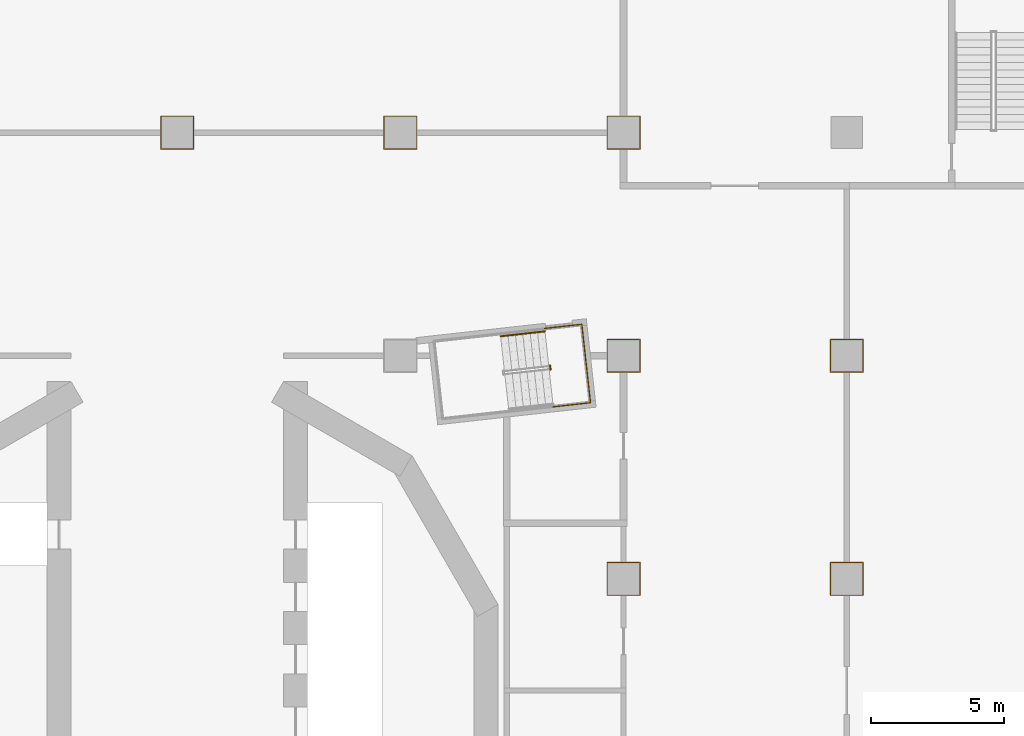
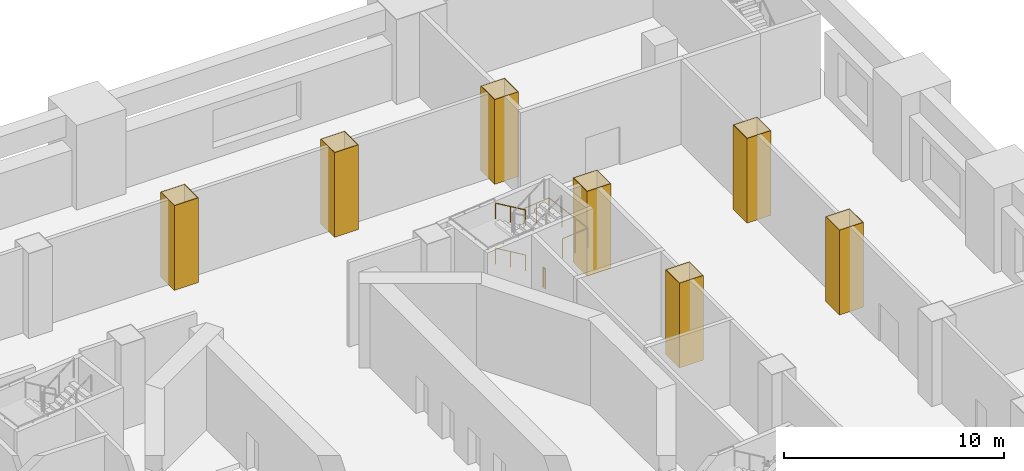
# One storey, part 14 of 17: 7 coverings, 4 railings.
"""IFC4 building model written with IfcOpenShell, lengths in metres."""

from ifc_helpers import new_model, si_unit, direction, frame, origin, origin_2d, place, context, subcontext, project, spatial, polyline, circle, outline, extrude, material, layer, layer_set, type_object, element, save


model = new_model("IFC4")

# Units and contexts
model_context = context("Model", 3, precision=1e-05, world=origin(), true_north=direction((0.0, 1.0)))
body_context = subcontext(model_context, "Body", "Model", "MODEL_VIEW")
ifc_project = project(units=[si_unit("LENGTHUNIT", "METRE"), si_unit("AREAUNIT", "SQUARE_METRE"), si_unit("VOLUMEUNIT", "CUBIC_METRE"), si_unit("PLANEANGLEUNIT", "RADIAN"), si_unit("MASSUNIT", "GRAM", prefix="KILO")], contexts=[model_context])

# Site, building, storey
site_placement = place(None, origin())
site = spatial("IfcSite", under=ifc_project, at=site_placement, CompositionType="ELEMENT")
building_placement = place(site_placement, origin())
building = spatial("IfcBuilding", under=site, at=building_placement, Name="Cantera Rosa Tower", CompositionType="ELEMENT")
storey_placement = place(building_placement, frame((0.0, 0.0, 27.0)))
storey = spatial("IfcBuildingStorey", under=building, at=storey_placement, Name="L04", CompositionType="ELEMENT", Elevation=27.0)

# Coverings
ifc_material_1 = material(Name="Plaster")
ifc_layer = layer(ifc_material_1, 0.030029296875)
ifc_layer_set = layer_set([ifc_layer], Name="Column casing 30")
covering_type = type_object("IfcCoveringType", Name="Column casing 30", PredefinedType="CLADDING", material=ifc_layer_set)
covering_1_placement = place(storey_placement, origin())
element("IfcCovering", 1, at=covering_1_placement, inside=storey, type_object=covering_type, Name="Column casing L04-019", PredefinedType="CLADDING", context=body_context, shape_type="SweptSolid", body=[
    extrude(outline(polyline([(-0.6298828125, 20.3701171875), (0.6298828125, 20.3701171875), (0.6298828125, 21.6298828125), (-0.6298828125, 21.6298828125), (-0.6298828125, 20.3701171875)]), holes=[polyline([(0.60009765625, 21.60009765625), (-0.60009765625, 21.60009765625), (-0.60009765625, 20.39990234375), (0.60009765625, 20.39990234375), (0.60009765625, 21.60009765625)])]), origin(), (0.0, 0.0, 1.0), 4.699951171875),
])
covering_2_placement = place(storey_placement, origin())
element("IfcCovering", 2, at=covering_2_placement, inside=storey, type_object=covering_type, Name="Column casing L04-023", PredefinedType="CLADDING", context=body_context, shape_type="SweptSolid", body=[
    extrude(outline(polyline([(7.77001953125, 20.3701171875), (9.030029296875, 20.3701171875), (9.030029296875, 21.6298828125), (7.77001953125, 21.6298828125), (7.77001953125, 20.3701171875)]), holes=[polyline([(9.0, 21.60009765625), (7.800048828125, 21.60009765625), (7.800048828125, 20.39990234375), (9.0, 20.39990234375), (9.0, 21.60009765625)])]), origin(), (0.0, 0.0, 1.0), 4.699951171875),
])
covering_3_placement = place(storey_placement, origin())
element("IfcCovering", 3, at=covering_3_placement, inside=storey, type_object=covering_type, Name="Column casing L04-028", PredefinedType="CLADDING", context=body_context, shape_type="SweptSolid", body=[
    extrude(outline(polyline([(16.169921875, 3.570068359375), (17.429931640625, 3.570068359375), (17.429931640625, 4.830078125), (16.169921875, 4.830078125), (16.169921875, 3.570068359375)]), holes=[polyline([(17.39990234375, 4.800048828125), (16.199951171875, 4.800048828125), (16.199951171875, 3.60009765625), (17.39990234375, 3.60009765625), (17.39990234375, 4.800048828125)])]), origin(), (0.0, 0.0, 1.0), 4.699951171875),
])
covering_4_placement = place(storey_placement, origin())
element("IfcCovering", 4, at=covering_4_placement, inside=storey, type_object=covering_type, Name="Column casing L04-029", PredefinedType="CLADDING", context=body_context, shape_type="SweptSolid", body=[
    extrude(outline(polyline([(16.169921875, 11.969970703125), (17.429931640625, 11.969970703125), (17.429931640625, 13.22998046875), (16.169921875, 13.22998046875), (16.169921875, 11.969970703125)]), holes=[polyline([(17.39990234375, 13.199951171875), (16.199951171875, 13.199951171875), (16.199951171875, 12.0), (17.39990234375, 12.0), (17.39990234375, 13.199951171875)])]), origin(), (0.0, 0.0, 1.0), 4.699951171875),
])
covering_5_placement = place(storey_placement, origin())
element("IfcCovering", 5, at=covering_5_placement, inside=storey, type_object=covering_type, Name="Column casing L04-030", PredefinedType="CLADDING", context=body_context, shape_type="SweptSolid", body=[
    extrude(outline(polyline([(16.169921875, 20.3701171875), (17.429931640625, 20.3701171875), (17.429931640625, 21.6298828125), (16.169921875, 21.6298828125), (16.169921875, 20.3701171875)]), holes=[polyline([(17.39990234375, 21.60009765625), (16.199951171875, 21.60009765625), (16.199951171875, 20.39990234375), (17.39990234375, 20.39990234375), (17.39990234375, 21.60009765625)])]), origin(), (0.0, 0.0, 1.0), 4.699951171875),
])
covering_6_placement = place(storey_placement, origin())
element("IfcCovering", 6, at=covering_6_placement, inside=storey, type_object=covering_type, Name="Column casing L04-034", PredefinedType="CLADDING", context=body_context, shape_type="SweptSolid", body=[
    extrude(outline(polyline([(24.570068359375, 3.570068359375), (25.830078125, 3.570068359375), (25.830078125, 4.830078125), (24.570068359375, 4.830078125), (24.570068359375, 3.570068359375)]), holes=[polyline([(25.800048828125, 4.800048828125), (24.60009765625, 4.800048828125), (24.60009765625, 3.60009765625), (25.800048828125, 3.60009765625), (25.800048828125, 4.800048828125)])]), origin(), (0.0, 0.0, 1.0), 4.699951171875),
])
covering_7_placement = place(storey_placement, origin())
element("IfcCovering", 7, at=covering_7_placement, inside=storey, type_object=covering_type, Name="Column casing L04-035", PredefinedType="CLADDING", context=body_context, shape_type="SweptSolid", body=[
    extrude(outline(polyline([(24.570068359375, 11.969970703125), (25.830078125, 11.969970703125), (25.830078125, 13.22998046875), (24.570068359375, 13.22998046875), (24.570068359375, 11.969970703125)]), holes=[polyline([(25.800048828125, 13.199951171875), (24.60009765625, 13.199951171875), (24.60009765625, 12.0), (25.800048828125, 12.0), (25.800048828125, 13.199951171875)])]), origin(), (0.0, 0.0, 1.0), 4.699951171875),
])

# Railings
ifc_material_2 = material(Name="Steel S355J2 (EN 10025-2)", Category="steel")
railing_type_1 = type_object("IfcRailingType", Name="STAIR GUARD 1100", PredefinedType="GUARDRAIL", material=ifc_material_2)
railing_1_placement = place(storey_placement, frame((14.032958984375, 12.234375, 0.0)))
element("IfcRailing", 8, at=railing_1_placement, inside=storey, type_object=railing_type_1, Name="L04 ST-11 stair guard 5", PredefinedType="GUARDRAIL", context=body_context, shape_type="SweptSolid", body=[
    extrude(circle(Radius=0.02392578125, at=origin_2d()), frame((0.0, 0.0, 1.076171875), z_axis=(0.109179471459, -0.994022053584, 0.0), x_axis=(0.994022053584, 0.109179471459, 0.0)), (0.0, 0.0, 1.0), 0.14990234375),
    extrude(circle(Radius=0.02099609375, at=origin_2d()), origin(), (0.0, 0.0, 1.0), 1.052001953125),
    extrude(circle(Radius=0.02099609375, at=origin_2d()), frame((0.016357421875, -0.14892578125, 0.0)), (0.0, 0.0, 1.0), 1.052001953125),
])
railing_2_placement = place(storey_placement, frame((13.815673828125, 13.629150390625, 2.5)))
element("IfcRailing", 9, at=railing_2_placement, inside=storey, type_object=railing_type_1, Name="L04 ST-11 stair guard 8", PredefinedType="GUARDRAIL", context=body_context, shape_type="SweptSolid", body=[
    extrude(circle(Radius=0.02392578125, at=origin_2d()), frame((0.0, 0.0, 1.076171875), z_axis=(0.993906744489, 0.110224240795, 0.0), x_axis=(-0.110224240795, 0.993906744489, 0.0)), (0.0, 0.0, 1.0), 1.421875),
    extrude(circle(Radius=0.02392578125, at=origin_2d()), frame((1.413330078125, 0.15673828125, 1.076171875), z_axis=(0.110314237986, -0.993896759678, 0.0), x_axis=(0.993896759678, 0.110314237986, 0.0)), (0.0, 0.0, 1.0), 2.969970703125),
    extrude(circle(Radius=0.02392578125, at=origin_2d()), frame((1.740966796875, -2.795166015625, 1.076171875), z_axis=(-0.993906744489, -0.110224240795, 0.0), x_axis=(0.110224240795, -0.993906744489, 0.0)), (0.0, 0.0, 1.0), 1.421875),
    extrude(circle(Radius=0.02099609375, at=origin_2d()), origin(), (0.0, 0.0, 1.0), 1.052001953125),
    extrude(circle(Radius=0.02099609375, at=origin_2d()), frame((0.70654296875, 0.078369140625, 0.0)), (0.0, 0.0, 1.0), 1.052001953125),
    extrude(circle(Radius=0.02099609375, at=origin_2d()), frame((1.413330078125, 0.15673828125, 0.0)), (0.0, 0.0, 1.0), 1.052001953125),
    extrude(circle(Radius=0.02099609375, at=origin_2d()), frame((1.5224609375, -0.8271484375, 0.0)), (0.0, 0.0, 1.0), 1.052001953125),
    extrude(circle(Radius=0.02099609375, at=origin_2d()), frame((1.6318359375, -1.811279296875, 0.0)), (0.0, 0.0, 1.0), 1.052001953125),
    extrude(circle(Radius=0.02099609375, at=origin_2d()), frame((1.740966796875, -2.795166015625, 0.0)), (0.0, 0.0, 1.0), 1.052001953125),
    extrude(circle(Radius=0.02099609375, at=origin_2d()), frame((1.0341796875, -2.87353515625, 0.0)), (0.0, 0.0, 1.0), 1.052001953125),
    extrude(circle(Radius=0.02099609375, at=origin_2d()), frame((0.32763671875, -2.951904296875, 0.0)), (0.0, 0.0, 1.0), 1.052001953125),
])
ifc_material_3 = material(Name="Steel S355J2 (EN 10025-2)", Category="steel")
railing_type_2 = type_object("IfcRailingType", Name="STAIR HANDRAIL 900", PredefinedType="HANDRAIL", material=ifc_material_3)
for number, where, name in (
    (10, (13.83984375, 13.52099609375, 0.178466796875), "L04 ST-11 stair handrail 1"),
    (11, (13.83984375, 13.52099609375, 2.678466796875), "L04 ST-11 stair handrail 3"),
):
    element("IfcRailing", number, at=place(storey_placement, frame(where)), inside=storey, type_object=railing_type_2, Name=name, PredefinedType="HANDRAIL", context=body_context, shape_type="SweptSolid", body=[
        extrude(circle(Radius=0.02392578125, at=origin_2d()), frame((0.0, 0.0, 0.8759765625), z_axis=(-0.837987391448, -0.092987197384, 0.537708576179), x_axis=(0.11028798999, -0.993899672635, 0.0)), (0.0, 0.0, 1.0), 1.99267578125),
        extrude(circle(Radius=0.02099609375, at=origin_2d()), origin(), (0.0, 0.0, 1.0), 0.851806640625),
        extrude(circle(Radius=0.02099609375, at=origin_2d()), frame((-0.8349609375, -0.0927734375, 0.53564453125)), (0.0, 0.0, 1.0), 0.851806640625),
        extrude(circle(Radius=0.02099609375, at=origin_2d()), frame((-1.669921875, -0.185302734375, 1.071533203125)), (0.0, 0.0, 1.0), 0.851806640625),
    ])

save(model, "model.ifc")
